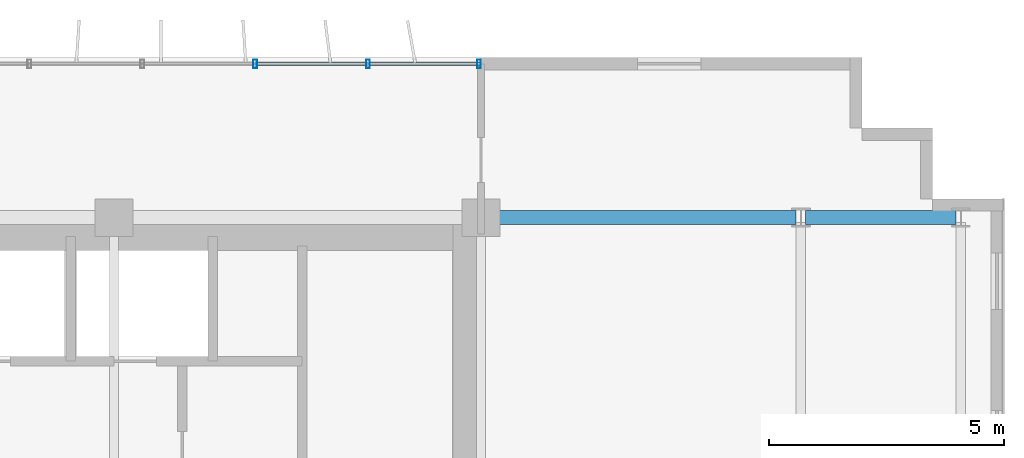
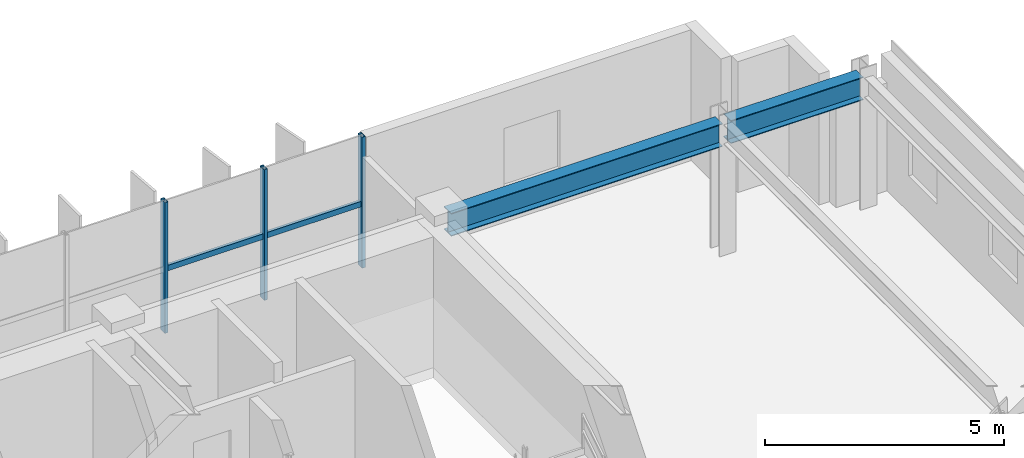
# One storey, part 11 of 22: 5 members, 2 beams, 1 element without a shape of its own.
"""IFC4 building model written with IfcOpenShell, lengths in metres."""

from ifc_helpers import new_model, si_unit, direction, frame, origin, origin_2d, place, context, subcontext, project, spatial, hollow_rectangle, i_section, extrude, source, transform, mapped, material, material_profile, profile_set, type_object, element, aggregate, save


model = new_model("IFC4")

# Units and contexts
model_context = context("Model", 3, precision=1e-05, world=origin(), true_north=direction((0.0, 1.0)))
body_context = subcontext(model_context, "Body", "Model", "MODEL_VIEW")
ifc_project = project(units=[si_unit("LENGTHUNIT", "METRE"), si_unit("AREAUNIT", "SQUARE_METRE"), si_unit("VOLUMEUNIT", "CUBIC_METRE"), si_unit("PLANEANGLEUNIT", "RADIAN"), si_unit("MASSUNIT", "GRAM", prefix="KILO")], contexts=[model_context])

# Site, building, storey
site_placement = place(None, origin())
site = spatial("IfcSite", under=ifc_project, at=site_placement, CompositionType="ELEMENT")
building_placement = place(site_placement, origin())
building = spatial("IfcBuilding", under=site, at=building_placement, Name="Trelvane Seafront Commons", CompositionType="ELEMENT")
storey_placement = place(building_placement, frame((0.0, 0.0, 92.5)))
storey = spatial("IfcBuildingStorey", under=building, at=storey_placement, Name="L23", CompositionType="ELEMENT", Elevation=92.5)

# Beams
ifc_material_1 = material(Name="Steel SM355 (S355)", Category="steel")
ifc_material_profile_1 = material_profile(ifc_material_1, i_section(OverallWidth=0.300048828125, OverallDepth=0.587890625, WebThickness=0.011962890625, FlangeThickness=0.02001953125, at=origin_2d()), Name="H-588x300x12x20")
ifc_profile_set_1 = profile_set([ifc_material_profile_1], Name="Steel SM355 (S355)")
beam_type = type_object("IfcBeamType", Name="STR-BM-H588", PredefinedType="BEAM", material=ifc_profile_set_1)
shared_shape_1 = source(origin(), body_context, "Body", "SweptSolid", [
    extrude(i_section(OverallWidth=0.300048828125, OverallDepth=0.587890625, WebThickness=0.011962890625, FlangeThickness=0.02001953125, at=origin_2d()), origin(), (0.0, 0.0, 1.0), 3.199951171875),
])
beam_1_placement = place(storey_placement, frame((65.699951171875, 45.10009765625, 3.0458984375), z_axis=(1.0, 0.0, 0.0), x_axis=(0.0, 1.0, 0.0)))
element("IfcBeam", 1, at=beam_1_placement, inside=storey, type_object=beam_type, Name="L23 Primary Girder G-36", PredefinedType="BEAM", context=body_context, shape_type="MappedRepresentation", body=[
    mapped(shared_shape_1, transform((0.0, 0.0, 0.0), x_axis=(1.0, 0.0, 0.0), y_axis=(0.0, 1.0, 0.0), z_axis=(0.0, 0.0, 1.0), scale=1.0)),
])
shared_shape_2 = source(origin(), body_context, "Body", "SweptSolid", [
    extrude(i_section(OverallWidth=0.300048828125, OverallDepth=0.587890625, WebThickness=0.011962890625, FlangeThickness=0.02001953125, at=origin_2d()), origin(), (0.0, 0.0, 1.0), 6.550048828125),
])
beam_2_placement = place(storey_placement, frame((58.949951171875, 45.10009765625, 3.0458984375), z_axis=(1.0, 0.0, 0.0), x_axis=(0.0, 1.0, 0.0)))
element("IfcBeam", 2, at=beam_2_placement, inside=storey, type_object=beam_type, Name="L23 Primary Girder G-35", PredefinedType="BEAM", context=body_context, shape_type="MappedRepresentation", body=[
    mapped(shared_shape_2, transform((0.0, 0.0, 0.0), x_axis=(1.0, 0.0, 0.0), y_axis=(0.0, 1.0, 0.0), z_axis=(0.0, 0.0, 1.0), scale=1.0)),
])

# Curtain wall, members
ifc_material_2 = material(Name="Anodised pale-silver aluminium", Category="aluminium")
curtain_wall_type = type_object("IfcCurtainWallType", Name="ARCH-CW4-SKYLOBBY", PredefinedType="NOTDEFINED", material=ifc_material_2)
curtain_wall_placement = place(storey_placement, origin())
curtain_wall = element("IfcCurtainWall", 3, at=curtain_wall_placement, inside=storey, type_object=curtain_wall_type, Name="CW-L23-0048", PredefinedType="NOTDEFINED")
ifc_material_profile_2 = material_profile(ifc_material_2, hollow_rectangle(XDim=0.074951171875, YDim=0.139892578125, WallThickness=0.00390625, at=origin_2d()), Name="TRAN-75x140x4")
ifc_profile_set_2 = profile_set([ifc_material_profile_2], Name="Anodised pale-silver aluminium")
member_type_1 = type_object("IfcMemberType", Name="ARCH-CW-TRAN-140", PredefinedType="USERDEFINED", material=ifc_profile_set_2)
shared_shape_3 = source(origin(), body_context, "Body", "SweptSolid", [
    extrude(hollow_rectangle(XDim=0.074951171875, YDim=0.139892578125, WallThickness=0.00390625, at=origin_2d()), origin(), (0.0, 0.0, 1.0), 2.3759765625),
])
member_1_placement = place(storey_placement, frame((54.011962890625, 48.3701171875, 1.60302734375), z_axis=(1.0, 0.0, 0.0), x_axis=(0.0, 1.0, 0.0)))
member_1 = element("IfcMember", 4, at=member_1_placement, type_object=member_type_1, Name="CW-L23-0048-T16", ObjectType="TRANSOM", PredefinedType="USERDEFINED", context=body_context, shape_type="MappedRepresentation", body=[
    mapped(shared_shape_3, transform((0.0, 0.0, 0.0), x_axis=(1.0, 0.0, 0.0), y_axis=(0.0, 1.0, 0.0), z_axis=(0.0, 0.0, 1.0), scale=1.0)),
])
member_2_placement = place(storey_placement, frame((56.412109375, 48.3701171875, 1.60302734375), z_axis=(1.0, 0.0, 0.0), x_axis=(0.0, 1.0, 0.0)))
member_2 = element("IfcMember", 5, at=member_2_placement, type_object=member_type_1, Name="CW-L23-0048-T17", ObjectType="TRANSOM", PredefinedType="USERDEFINED", context=body_context, shape_type="MappedRepresentation", body=[
    mapped(shared_shape_3, transform((0.0, 0.0, 0.0), x_axis=(1.0, 0.0, 0.0), y_axis=(0.0, 1.0, 0.0), z_axis=(0.0, 0.0, 1.0), scale=1.0)),
])
ifc_material_profile_3 = material_profile(ifc_material_2, hollow_rectangle(XDim=0.080078125, YDim=0.179931640625, WallThickness=0.00439453125, at=origin_2d()), Name="MULL-80x180x4.5")
ifc_profile_set_3 = profile_set([ifc_material_profile_3], Name="Anodised pale-silver aluminium")
member_type_2 = type_object("IfcMemberType", Name="ARCH-CW-MULL-180", PredefinedType="MULLION", material=ifc_profile_set_3)
shared_shape_4 = source(origin(), body_context, "Body", "SweptSolid", [
    extrude(hollow_rectangle(XDim=0.080078125, YDim=0.179931640625, WallThickness=0.00439453125, at=origin_2d()), origin(), (0.0, 0.0, 1.0), 3.340087890625),
])
member_3_placement = place(storey_placement, frame((54.0, 48.3701171875, 0.0), z_axis=(0.0, 0.0, 1.0), x_axis=(1.0, 0.0, 0.0)))
member_3 = element("IfcMember", 6, at=member_3_placement, type_object=member_type_2, Name="CW-L23-0048-M16", PredefinedType="MULLION", context=body_context, shape_type="MappedRepresentation", body=[
    mapped(shared_shape_4, transform((0.0, 0.0, 0.0), x_axis=(1.0, 0.0, 0.0), y_axis=(0.0, 1.0, 0.0), z_axis=(0.0, 0.0, 1.0), scale=1.0)),
])
member_4_placement = place(storey_placement, frame((56.39990234375, 48.3701171875, 0.0), z_axis=(0.0, 0.0, 1.0), x_axis=(1.0, 0.0, 0.0)))
member_4 = element("IfcMember", 7, at=member_4_placement, type_object=member_type_2, Name="CW-L23-0048-M17", PredefinedType="MULLION", context=body_context, shape_type="MappedRepresentation", body=[
    mapped(shared_shape_4, transform((0.0, 0.0, 0.0), x_axis=(1.0, 0.0, 0.0), y_axis=(0.0, 1.0, 0.0), z_axis=(0.0, 0.0, 1.0), scale=1.0)),
])
member_5_placement = place(storey_placement, frame((58.760009765625, 48.3701171875, 0.0), z_axis=(0.0, 0.0, 1.0), x_axis=(1.0, 0.0, 0.0)))
member_5 = element("IfcMember", 8, at=member_5_placement, type_object=member_type_2, Name="CW-L23-0048-M18", PredefinedType="MULLION", context=body_context, shape_type="MappedRepresentation", body=[
    mapped(shared_shape_4, transform((0.0, 0.0, 0.0), x_axis=(1.0, 0.0, 0.0), y_axis=(0.0, 1.0, 0.0), z_axis=(0.0, 0.0, 1.0), scale=1.0)),
])
aggregate(curtain_wall, [member_3, member_4, member_5, member_1, member_2])

save(model, "model.ifc")
